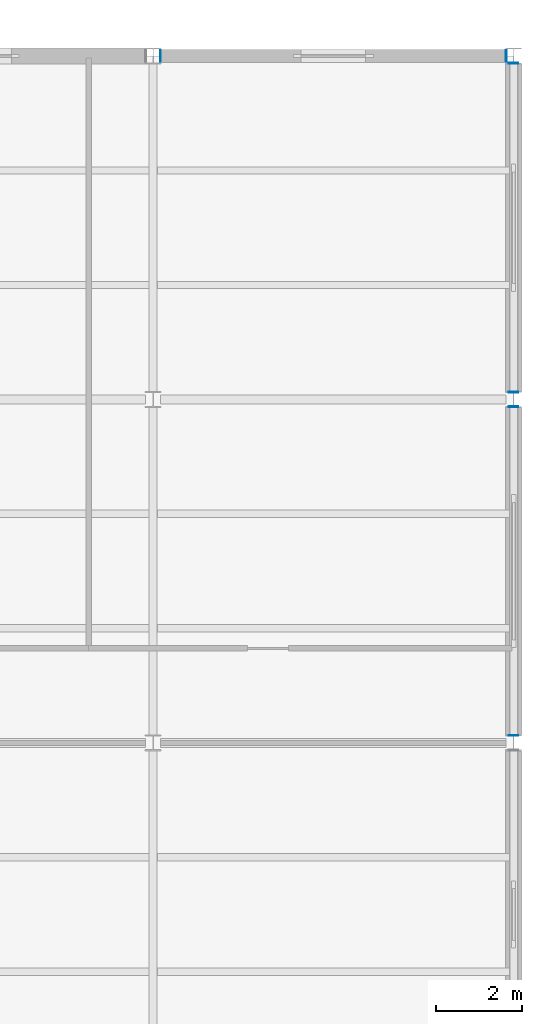
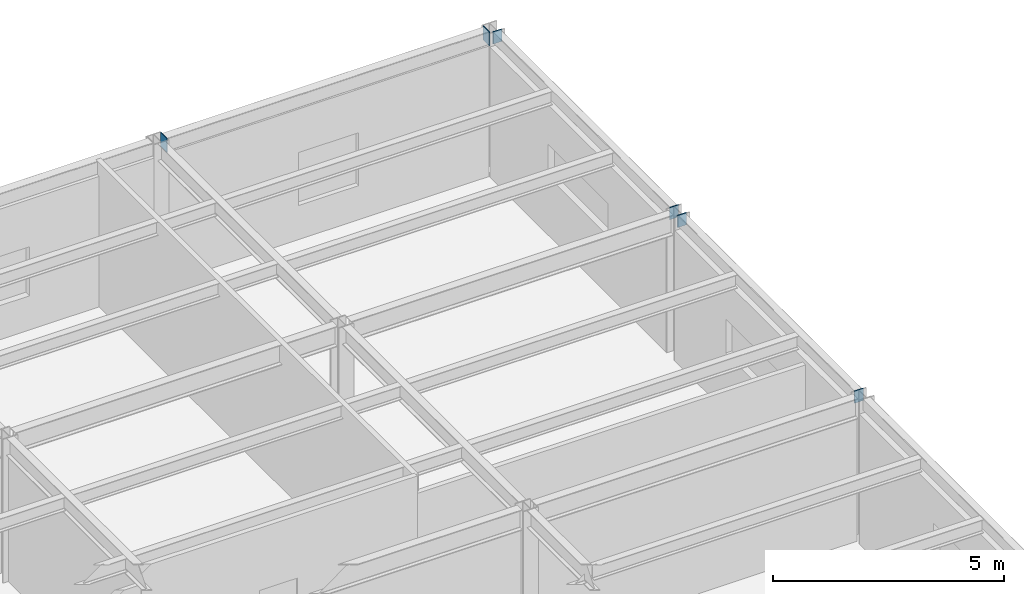
# One storey, part 127 of 138: 6 discrete accessories.
"""IFC4 building model written with IfcOpenShell, lengths in metres."""

from ifc_helpers import new_model, si_unit, direction, frame, origin, origin_2d, place, context, subcontext, project, spatial, rectangle, extrude, material, layer, layer_set, type_object, element, save


model = new_model("IFC4")

# Units and contexts
model_context = context("Model", 3, precision=1e-05, world=origin(), true_north=direction((0.0, 1.0)))
body_context = subcontext(model_context, "Body", "Model", "MODEL_VIEW")
ifc_project = project(units=[si_unit("LENGTHUNIT", "METRE"), si_unit("AREAUNIT", "SQUARE_METRE"), si_unit("VOLUMEUNIT", "CUBIC_METRE"), si_unit("PLANEANGLEUNIT", "RADIAN"), si_unit("MASSUNIT", "GRAM", prefix="KILO")], contexts=[model_context])

# Site, building, storey
site_placement = place(None, origin())
site = spatial("IfcSite", under=ifc_project, at=site_placement, CompositionType="ELEMENT")
building_placement = place(site_placement, origin())
building = spatial("IfcBuilding", under=site, at=building_placement, Name="Kranzveld Transit Interchange", CompositionType="ELEMENT")
storey_placement = place(building_placement, frame((0.0, 0.0, 5.43994140625)))
storey = spatial("IfcBuildingStorey", under=building, at=storey_placement, Name="L01", CompositionType="ELEMENT", Elevation=5.43994140625)

# Discrete accessories
ifc_material = material(Name="Steel S355JR", Category="steel")
ifc_layer = layer(ifc_material, 0.02001953125)
ifc_layer_set = layer_set([ifc_layer], Name="Steel S355JR")
discrete_accessory_type = type_object("IfcDiscreteAccessoryType", Name="Hollow Section End Cap Bracket 20 S355JR", PredefinedType="BRACKET", material=ifc_layer_set)
for number, where, z_axis, x_axis, name in (
    (1, (159.78125, 112.0, 3.625), (-1.0, 0.0, 0.0), (0.0, -1.0, 0.0), "Hollow Section End Cap SP-RHS350-1"),
    (2, (167.818603515625, 112.0, 3.625), (1.0, 0.0, 0.0), (0.0, 1.0, 0.0), "Hollow Section End Cap SP-RHS350-2"),
):
    element("IfcDiscreteAccessory", number, at=place(storey_placement, frame(where, z_axis=z_axis, x_axis=x_axis)), inside=storey, type_object=discrete_accessory_type, Name=name, PredefinedType="BRACKET", context=body_context, shape_type="SweptSolid", body=[
        extrude(rectangle(XDim=0.27392578125, YDim=0.3740234375, at=origin_2d()), origin(), (0.0, 0.0, 1.0), 0.02001953125),
    ])
for number, where, z_axis, x_axis, name in (
    (3, (168.0, 96.181396484375, 3.650146484375), (0.0, -1.0, 0.0), (1.0, 0.0, 0.0), "Hollow Section End Cap SP-RHS300-1"),
    (4, (168.0, 103.818603515625, 3.650146484375), (0.0, 1.0, 0.0), (-1.0, 0.0, 0.0), "Hollow Section End Cap SP-RHS300-2"),
    (5, (168.0, 104.181396484375, 3.650146484375), (0.0, -1.0, 0.0), (1.0, 0.0, 0.0), "Hollow Section End Cap SP-RHS300-1"),
    (6, (168.0, 111.818603515625, 3.650146484375), (0.0, 1.0, 0.0), (-1.0, 0.0, 0.0), "Hollow Section End Cap SP-RHS300-2"),
):
    element("IfcDiscreteAccessory", number, at=place(storey_placement, frame(where, z_axis=z_axis, x_axis=x_axis)), inside=storey, type_object=discrete_accessory_type, Name=name, PredefinedType="BRACKET", context=body_context, shape_type="SweptSolid", body=[
        extrude(rectangle(XDim=0.22412109375, YDim=0.323974609375, at=origin_2d()), origin(), (0.0, 0.0, 1.0), 0.02001953125),
    ])

save(model, "model.ifc")
